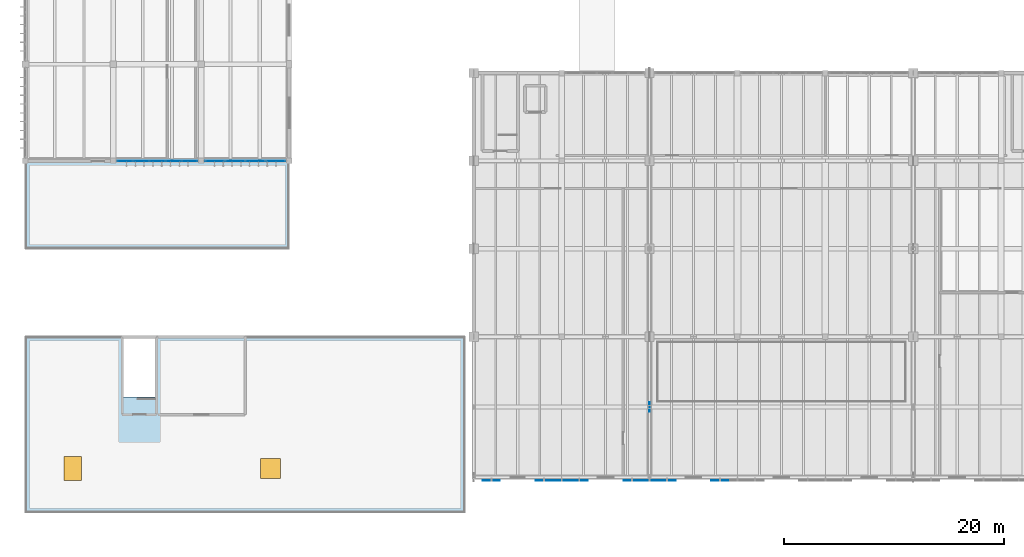
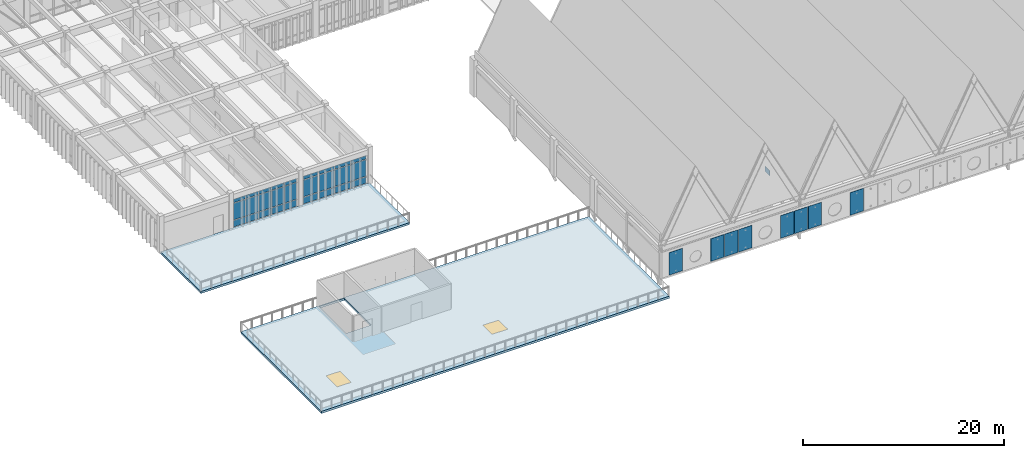
# One storey, part 31 of 72: 36 plates, 2 slabs, 2 windows, 2 openings, 2 elements without a shape of their own.
"""IFC4 building model written with IfcOpenShell, lengths in metres."""

from ifc_helpers import new_model, si_unit, direction, frame, origin, origin_2d, place, context, subcontext, project, spatial, polyline, rectangle, outline, extrude, material, layer, layer_set, type_object, element, fill, aggregate, save


model = new_model("IFC4")

# Units and contexts
model_context = context("Model", 3, precision=1e-05, world=origin(), true_north=direction((0.0, 1.0)))
body_context = subcontext(model_context, "Body", "Model", "MODEL_VIEW")
ifc_project = project(units=[si_unit("LENGTHUNIT", "METRE"), si_unit("AREAUNIT", "SQUARE_METRE"), si_unit("VOLUMEUNIT", "CUBIC_METRE"), si_unit("PLANEANGLEUNIT", "RADIAN"), si_unit("MASSUNIT", "GRAM", prefix="KILO")], contexts=[model_context])

# Site, building, storey
site_placement = place(None, origin())
site = spatial("IfcSite", under=ifc_project, at=site_placement, CompositionType="ELEMENT")
building_placement = place(site_placement, origin())
building = spatial("IfcBuilding", under=site, at=building_placement, Name="Tlaxcora Railside Police Headquarters", CompositionType="ELEMENT")
storey_placement = place(building_placement, frame((0.0, 0.0, 13.5)))
storey = spatial("IfcBuildingStorey", under=building, at=storey_placement, Name="L03", CompositionType="ELEMENT", Elevation=13.5)

# Curtain wall, plates
ifc_material_1 = material(Name="Thermally broken low-E insulated glazing", Category="glass")
curtain_wall_type_1 = type_object("IfcCurtainWallType", Name="Unitised Curtain Wall Assembly CW-15", PredefinedType="NOTDEFINED", material=ifc_material_1)
curtain_wall_1_placement = place(storey_placement, origin())
curtain_wall_1 = element("IfcCurtainWall", 1, at=curtain_wall_1_placement, inside=storey, type_object=curtain_wall_type_1, Name="V5 L03 curtain wall 70", PredefinedType="NOTDEFINED")
ifc_layer_1 = layer(ifc_material_1, 0.031982421875, Name="Thermally broken low-E insulated glazing")
ifc_layer_set_1 = layer_set([ifc_layer_1], Name="Thermally broken low-E insulated glazing")
plate_type_1 = type_object("IfcPlateType", Name="Curtain Wall Infill Panel CW-41", PredefinedType="CURTAIN_PANEL", material=ifc_layer_set_1)
plate_1_placement = place(storey_placement, frame((14.2587890625, 52.0, 0.074951171875), z_axis=(0.0, 0.0, 1.0), x_axis=(1.0, 0.0, 0.0)))
plate_1 = element("IfcPlate", 2, at=plate_1_placement, type_object=plate_type_1, Name="CW panel 1.1", PredefinedType="CURTAIN_PANEL", context=body_context, shape_type="SweptSolid", body=[
    extrude(rectangle(XDim=1.367431640625, YDim=0.031982421875, at=origin_2d()), origin(), (0.0, 0.0, 1.0), 0.78759765625),
])
plate_2_placement = place(storey_placement, frame((14.2587890625, 52.0, 0.9375), z_axis=(0.0, 0.0, 1.0), x_axis=(1.0, 0.0, 0.0)))
plate_2 = element("IfcPlate", 3, at=plate_2_placement, type_object=plate_type_1, Name="CW panel 1.2", PredefinedType="CURTAIN_PANEL", context=body_context, shape_type="SweptSolid", body=[
    extrude(rectangle(XDim=1.367431640625, YDim=0.031982421875, at=origin_2d()), origin(), (0.0, 0.0, 1.0), 2.014892578125),
])
plate_3_placement = place(storey_placement, frame((14.2587890625, 52.0, 3.027587890625), z_axis=(0.0, 0.0, 1.0), x_axis=(1.0, 0.0, 0.0)))
plate_3 = element("IfcPlate", 4, at=plate_3_placement, type_object=plate_type_1, Name="CW panel 1.3", PredefinedType="CURTAIN_PANEL", context=body_context, shape_type="SweptSolid", body=[
    extrude(rectangle(XDim=1.367431640625, YDim=0.031982421875, at=origin_2d()), origin(), (0.0, 0.0, 1.0), 0.41748046875),
])
plate_4_placement = place(storey_placement, frame((15.719970703125, 52.0, 0.074951171875), z_axis=(0.0, 0.0, 1.0), x_axis=(1.0, 0.0, 0.0)))
plate_4 = element("IfcPlate", 5, at=plate_4_placement, type_object=plate_type_1, Name="CW panel 2.1", PredefinedType="CURTAIN_PANEL", context=body_context, shape_type="SweptSolid", body=[
    extrude(rectangle(XDim=1.405029296875, YDim=0.031982421875, at=origin_2d()), origin(), (0.0, 0.0, 1.0), 0.78759765625),
])
plate_5_placement = place(storey_placement, frame((15.719970703125, 52.0, 0.9375), z_axis=(0.0, 0.0, 1.0), x_axis=(1.0, 0.0, 0.0)))
plate_5 = element("IfcPlate", 6, at=plate_5_placement, type_object=plate_type_1, Name="CW panel 2.2", PredefinedType="CURTAIN_PANEL", context=body_context, shape_type="SweptSolid", body=[
    extrude(rectangle(XDim=1.405029296875, YDim=0.031982421875, at=origin_2d()), origin(), (0.0, 0.0, 1.0), 2.014892578125),
])
plate_6_placement = place(storey_placement, frame((15.719970703125, 52.0, 3.027587890625), z_axis=(0.0, 0.0, 1.0), x_axis=(1.0, 0.0, 0.0)))
plate_6 = element("IfcPlate", 7, at=plate_6_placement, type_object=plate_type_1, Name="CW panel 2.3", PredefinedType="CURTAIN_PANEL", context=body_context, shape_type="SweptSolid", body=[
    extrude(rectangle(XDim=1.405029296875, YDim=0.031982421875, at=origin_2d()), origin(), (0.0, 0.0, 1.0), 0.41748046875),
])
plate_7_placement = place(storey_placement, frame((17.199951171875, 52.0, 0.074951171875), z_axis=(0.0, 0.0, 1.0), x_axis=(1.0, 0.0, 0.0)))
plate_7 = element("IfcPlate", 8, at=plate_7_placement, type_object=plate_type_1, Name="CW panel 3.1", PredefinedType="CURTAIN_PANEL", context=body_context, shape_type="SweptSolid", body=[
    extrude(rectangle(XDim=1.405029296875, YDim=0.031982421875, at=origin_2d()), origin(), (0.0, 0.0, 1.0), 0.78759765625),
])
plate_8_placement = place(storey_placement, frame((17.199951171875, 52.0, 0.9375), z_axis=(0.0, 0.0, 1.0), x_axis=(1.0, 0.0, 0.0)))
plate_8 = element("IfcPlate", 9, at=plate_8_placement, type_object=plate_type_1, Name="CW panel 3.2", PredefinedType="CURTAIN_PANEL", context=body_context, shape_type="SweptSolid", body=[
    extrude(rectangle(XDim=1.405029296875, YDim=0.031982421875, at=origin_2d()), origin(), (0.0, 0.0, 1.0), 2.014892578125),
])
plate_9_placement = place(storey_placement, frame((17.199951171875, 52.0, 3.027587890625), z_axis=(0.0, 0.0, 1.0), x_axis=(1.0, 0.0, 0.0)))
plate_9 = element("IfcPlate", 10, at=plate_9_placement, type_object=plate_type_1, Name="CW panel 3.3", PredefinedType="CURTAIN_PANEL", context=body_context, shape_type="SweptSolid", body=[
    extrude(rectangle(XDim=1.405029296875, YDim=0.031982421875, at=origin_2d()), origin(), (0.0, 0.0, 1.0), 0.41748046875),
])
plate_10_placement = place(storey_placement, frame((18.679931640625, 52.0, 0.074951171875), z_axis=(0.0, 0.0, 1.0), x_axis=(1.0, 0.0, 0.0)))
plate_10 = element("IfcPlate", 11, at=plate_10_placement, type_object=plate_type_1, Name="CW panel 4.1", PredefinedType="CURTAIN_PANEL", context=body_context, shape_type="SweptSolid", body=[
    extrude(rectangle(XDim=1.405029296875, YDim=0.031982421875, at=origin_2d()), origin(), (0.0, 0.0, 1.0), 0.78759765625),
])
plate_11_placement = place(storey_placement, frame((18.679931640625, 52.0, 0.9375), z_axis=(0.0, 0.0, 1.0), x_axis=(1.0, 0.0, 0.0)))
plate_11 = element("IfcPlate", 12, at=plate_11_placement, type_object=plate_type_1, Name="CW panel 4.2", PredefinedType="CURTAIN_PANEL", context=body_context, shape_type="SweptSolid", body=[
    extrude(rectangle(XDim=1.405029296875, YDim=0.031982421875, at=origin_2d()), origin(), (0.0, 0.0, 1.0), 2.014892578125),
])
plate_12_placement = place(storey_placement, frame((18.679931640625, 52.0, 3.027587890625), z_axis=(0.0, 0.0, 1.0), x_axis=(1.0, 0.0, 0.0)))
plate_12 = element("IfcPlate", 13, at=plate_12_placement, type_object=plate_type_1, Name="CW panel 4.3", PredefinedType="CURTAIN_PANEL", context=body_context, shape_type="SweptSolid", body=[
    extrude(rectangle(XDim=1.405029296875, YDim=0.031982421875, at=origin_2d()), origin(), (0.0, 0.0, 1.0), 0.41748046875),
])
plate_13_placement = place(storey_placement, frame((20.141357421875, 52.0, 0.074951171875), z_axis=(0.0, 0.0, 1.0), x_axis=(1.0, 0.0, 0.0)))
plate_13 = element("IfcPlate", 14, at=plate_13_placement, type_object=plate_type_1, Name="CW panel 5.1", PredefinedType="CURTAIN_PANEL", context=body_context, shape_type="SweptSolid", body=[
    extrude(rectangle(XDim=1.367431640625, YDim=0.031982421875, at=origin_2d()), origin(), (0.0, 0.0, 1.0), 0.78759765625),
])
plate_14_placement = place(storey_placement, frame((20.141357421875, 52.0, 0.9375), z_axis=(0.0, 0.0, 1.0), x_axis=(1.0, 0.0, 0.0)))
plate_14 = element("IfcPlate", 15, at=plate_14_placement, type_object=plate_type_1, Name="CW panel 5.2", PredefinedType="CURTAIN_PANEL", context=body_context, shape_type="SweptSolid", body=[
    extrude(rectangle(XDim=1.367431640625, YDim=0.031982421875, at=origin_2d()), origin(), (0.0, 0.0, 1.0), 2.014892578125),
])
plate_15_placement = place(storey_placement, frame((20.141357421875, 52.0, 3.027587890625), z_axis=(0.0, 0.0, 1.0), x_axis=(1.0, 0.0, 0.0)))
plate_15 = element("IfcPlate", 16, at=plate_15_placement, type_object=plate_type_1, Name="CW panel 5.3", PredefinedType="CURTAIN_PANEL", context=body_context, shape_type="SweptSolid", body=[
    extrude(rectangle(XDim=1.367431640625, YDim=0.031982421875, at=origin_2d()), origin(), (0.0, 0.0, 1.0), 0.41748046875),
])
aggregate(curtain_wall_1, [plate_1, plate_2, plate_3, plate_4, plate_5, plate_6, plate_7, plate_8, plate_9, plate_10, plate_11, plate_12, plate_13, plate_14, plate_15])

curtain_wall_type_2 = type_object("IfcCurtainWallType", Name="Unitised Curtain Wall Assembly CW-83", PredefinedType="NOTDEFINED", material=ifc_material_1)
curtain_wall_2_placement = place(storey_placement, origin())
curtain_wall_2 = element("IfcCurtainWall", 17, at=curtain_wall_2_placement, inside=storey, type_object=curtain_wall_type_2, Name="V5 L03 curtain wall 71", PredefinedType="NOTDEFINED")
ifc_layer_2 = layer(ifc_material_1, 0.035888671875, Name="Thermally broken low-E insulated glazing")
ifc_layer_set_2 = layer_set([ifc_layer_2], Name="Thermally broken low-E insulated glazing")
plate_type_2 = type_object("IfcPlateType", Name="Curtain Wall Infill Panel CW-72", PredefinedType="CURTAIN_PANEL", material=ifc_layer_set_2)
plate_16_placement = place(storey_placement, frame((22.445068359375, 52.0, 0.080078125), z_axis=(0.0, 0.0, 1.0), x_axis=(1.0, 0.0, 0.0)))
plate_16 = element("IfcPlate", 18, at=plate_16_placement, type_object=plate_type_2, Name="CW panel 1.1", PredefinedType="CURTAIN_PANEL", context=body_context, shape_type="SweptSolid", body=[
    extrude(rectangle(XDim=1.72998046875, YDim=0.035888671875, at=origin_2d()), origin(), (0.0, 0.0, 1.0), 0.780029296875),
])
plate_17_placement = place(storey_placement, frame((22.445068359375, 52.0, 0.93994140625), z_axis=(0.0, 0.0, 1.0), x_axis=(1.0, 0.0, 0.0)))
plate_17 = element("IfcPlate", 19, at=plate_17_placement, type_object=plate_type_2, Name="CW panel 1.2", PredefinedType="CURTAIN_PANEL", context=body_context, shape_type="SweptSolid", body=[
    extrude(rectangle(XDim=1.72998046875, YDim=0.035888671875, at=origin_2d()), origin(), (0.0, 0.0, 1.0), 2.010009765625),
])
plate_18_placement = place(storey_placement, frame((22.445068359375, 52.0, 3.0302734375), z_axis=(0.0, 0.0, 1.0), x_axis=(1.0, 0.0, 0.0)))
plate_18 = element("IfcPlate", 20, at=plate_18_placement, type_object=plate_type_2, Name="CW panel 1.3", PredefinedType="CURTAIN_PANEL", context=body_context, shape_type="SweptSolid", body=[
    extrude(rectangle(XDim=1.72998046875, YDim=0.035888671875, at=origin_2d()), origin(), (0.0, 0.0, 1.0), 0.409912109375),
])
plate_19_placement = place(storey_placement, frame((24.27490234375, 52.0, 0.080078125), z_axis=(0.0, 0.0, 1.0), x_axis=(1.0, 0.0, 0.0)))
plate_19 = element("IfcPlate", 21, at=plate_19_placement, type_object=plate_type_2, Name="CW panel 2.1", PredefinedType="CURTAIN_PANEL", context=body_context, shape_type="SweptSolid", body=[
    extrude(rectangle(XDim=1.77001953125, YDim=0.035888671875, at=origin_2d()), origin(), (0.0, 0.0, 1.0), 0.780029296875),
])
plate_20_placement = place(storey_placement, frame((24.27490234375, 52.0, 0.93994140625), z_axis=(0.0, 0.0, 1.0), x_axis=(1.0, 0.0, 0.0)))
plate_20 = element("IfcPlate", 22, at=plate_20_placement, type_object=plate_type_2, Name="CW panel 2.2", PredefinedType="CURTAIN_PANEL", context=body_context, shape_type="SweptSolid", body=[
    extrude(rectangle(XDim=1.77001953125, YDim=0.035888671875, at=origin_2d()), origin(), (0.0, 0.0, 1.0), 2.010009765625),
])
plate_21_placement = place(storey_placement, frame((24.27490234375, 52.0, 3.0302734375), z_axis=(0.0, 0.0, 1.0), x_axis=(1.0, 0.0, 0.0)))
plate_21 = element("IfcPlate", 23, at=plate_21_placement, type_object=plate_type_2, Name="CW panel 2.3", PredefinedType="CURTAIN_PANEL", context=body_context, shape_type="SweptSolid", body=[
    extrude(rectangle(XDim=1.77001953125, YDim=0.035888671875, at=origin_2d()), origin(), (0.0, 0.0, 1.0), 0.409912109375),
])
plate_22_placement = place(storey_placement, frame((26.125, 52.0, 0.080078125), z_axis=(0.0, 0.0, 1.0), x_axis=(1.0, 0.0, 0.0)))
plate_22 = element("IfcPlate", 24, at=plate_22_placement, type_object=plate_type_2, Name="CW panel 3.1", PredefinedType="CURTAIN_PANEL", context=body_context, shape_type="SweptSolid", body=[
    extrude(rectangle(XDim=1.77001953125, YDim=0.035888671875, at=origin_2d()), origin(), (0.0, 0.0, 1.0), 0.780029296875),
])
plate_23_placement = place(storey_placement, frame((26.125, 52.0, 0.93994140625), z_axis=(0.0, 0.0, 1.0), x_axis=(1.0, 0.0, 0.0)))
plate_23 = element("IfcPlate", 25, at=plate_23_placement, type_object=plate_type_2, Name="CW panel 3.2", PredefinedType="CURTAIN_PANEL", context=body_context, shape_type="SweptSolid", body=[
    extrude(rectangle(XDim=1.77001953125, YDim=0.035888671875, at=origin_2d()), origin(), (0.0, 0.0, 1.0), 2.010009765625),
])
plate_24_placement = place(storey_placement, frame((26.125, 52.0, 3.0302734375), z_axis=(0.0, 0.0, 1.0), x_axis=(1.0, 0.0, 0.0)))
plate_24 = element("IfcPlate", 26, at=plate_24_placement, type_object=plate_type_2, Name="CW panel 3.3", PredefinedType="CURTAIN_PANEL", context=body_context, shape_type="SweptSolid", body=[
    extrude(rectangle(XDim=1.77001953125, YDim=0.035888671875, at=origin_2d()), origin(), (0.0, 0.0, 1.0), 0.409912109375),
])
plate_25_placement = place(storey_placement, frame((27.955078125, 52.0, 0.080078125), z_axis=(0.0, 0.0, 1.0), x_axis=(1.0, 0.0, 0.0)))
plate_25 = element("IfcPlate", 27, at=plate_25_placement, type_object=plate_type_2, Name="CW panel 4.1", PredefinedType="CURTAIN_PANEL", context=body_context, shape_type="SweptSolid", body=[
    extrude(rectangle(XDim=1.72998046875, YDim=0.035888671875, at=origin_2d()), origin(), (0.0, 0.0, 1.0), 0.780029296875),
])
plate_26_placement = place(storey_placement, frame((27.955078125, 52.0, 0.93994140625), z_axis=(0.0, 0.0, 1.0), x_axis=(1.0, 0.0, 0.0)))
plate_26 = element("IfcPlate", 28, at=plate_26_placement, type_object=plate_type_2, Name="CW panel 4.2", PredefinedType="CURTAIN_PANEL", context=body_context, shape_type="SweptSolid", body=[
    extrude(rectangle(XDim=1.72998046875, YDim=0.035888671875, at=origin_2d()), origin(), (0.0, 0.0, 1.0), 2.010009765625),
])
plate_27_placement = place(storey_placement, frame((27.955078125, 52.0, 3.0302734375), z_axis=(0.0, 0.0, 1.0), x_axis=(1.0, 0.0, 0.0)))
plate_27 = element("IfcPlate", 29, at=plate_27_placement, type_object=plate_type_2, Name="CW panel 4.3", PredefinedType="CURTAIN_PANEL", context=body_context, shape_type="SweptSolid", body=[
    extrude(rectangle(XDim=1.72998046875, YDim=0.035888671875, at=origin_2d()), origin(), (0.0, 0.0, 1.0), 0.409912109375),
])
aggregate(curtain_wall_2, [plate_16, plate_17, plate_18, plate_19, plate_20, plate_21, plate_22, plate_23, plate_24, plate_25, plate_26, plate_27])

# Slab, openings, windows
ifc_material_2 = material(Name="Concrete C40/50", Category="concrete")
ifc_layer_3 = layer(ifc_material_2, 0.260009765625, Name="Concrete C40/50")
ifc_layer_set_3 = layer_set([ifc_layer_3], Name="Concrete C40/50")
slab_type_1 = type_object("IfcSlabType", Name="Folded or Flat Roof Slab SL-59", PredefinedType="ROOF", material=ifc_layer_set_3)
slab_1_placement = place(storey_placement, frame((0.0, 0.0, -0.260009765625)))
slab_1 = element("IfcSlab", 30, at=slab_1_placement, inside=storey, type_object=slab_type_1, Name="V4 L03 planted terrace slab", PredefinedType="ROOF", context=body_context, shape_type="SweptSolid", body=[
    extrude(outline(polyline([(45.199951171875, 20.0), (45.199951171875, 36.0), (5.199951171875, 36.0), (5.199951171875, 20.0), (45.199951171875, 20.0)]), holes=[polyline([(17.010009765625, 30.5), (14.110107421875, 30.5), (14.110107421875, 35.889892578125), (17.010009765625, 35.889892578125), (17.010009765625, 30.5)])]), origin(), (0.0, 0.0, 1.0), 0.260009765625),
])
opening_1_placement = place(slab_1_placement, frame((9.5, 24.0, -0.010009765625)))
opening_1 = element("IfcOpeningElement", 31, at=opening_1_placement, cuts=slab_1, Name="Opening WN-75", PredefinedType="OPENING", context=body_context, shape_type="SweptSolid", body=[
    extrude(rectangle(XDim=1.60009765625, YDim=2.199951171875, at=origin_2d()), origin(), (0.0, 0.0, 1.0), 0.280029296875),
])
opening_2_placement = place(slab_1_placement, frame((27.5, 24.0, -0.010009765625)))
opening_2 = element("IfcOpeningElement", 32, at=opening_2_placement, cuts=slab_1, Name="Opening WN-48", PredefinedType="OPENING", context=body_context, shape_type="SweptSolid", body=[
    extrude(rectangle(XDim=1.800048828125, YDim=1.800048828125, at=origin_2d()), origin(), (0.0, 0.0, 1.0), 0.280029296875),
])
window_type_1 = type_object("IfcWindowType", Name="Roof Skylight WN-48", PartitioningType="SINGLE_PANEL", PredefinedType="SKYLIGHT", material=ifc_material_1)
window_1_placement = place(opening_2_placement, frame((0.0, 0.0, 0.219970703125)))
window_1 = element("IfcWindow", 33, at=window_1_placement, inside=storey, type_object=window_type_1, Name="Roof skylight 02", OverallHeight=1.800048828125, OverallWidth=1.800048828125, PartitioningType="SINGLE_PANEL", PredefinedType="SKYLIGHT", context=body_context, shape_type="SweptSolid", body=[
    extrude(rectangle(XDim=1.800048828125, YDim=1.800048828125, at=origin_2d()), origin(), (0.0, 0.0, 1.0), 0.050048828125),
])
fill(opening_2, window_1)
window_type_2 = type_object("IfcWindowType", Name="Roof Skylight WN-75", PartitioningType="SINGLE_PANEL", PredefinedType="SKYLIGHT", material=ifc_material_1)
window_2_placement = place(opening_1_placement, frame((0.0, 0.0, 0.219970703125)))
window_2 = element("IfcWindow", 34, at=window_2_placement, inside=storey, type_object=window_type_2, Name="Roof skylight 01", OverallHeight=2.199951171875, OverallWidth=1.60009765625, PartitioningType="SINGLE_PANEL", PredefinedType="SKYLIGHT", context=body_context, shape_type="SweptSolid", body=[
    extrude(rectangle(XDim=1.60009765625, YDim=2.199951171875, at=origin_2d()), origin(), (0.0, 0.0, 1.0), 0.050048828125),
])
fill(opening_1, window_2)

# Plates
ifc_material_3 = material(Name="Bronze-anodised perforated aluminium sheet", Category="aluminium")
ifc_layer_4 = layer(ifc_material_3, 0.02197265625, Name="Bronze-anodised perforated aluminium sheet")
ifc_layer_set_4 = layer_set([ifc_layer_4], Name="Bronze-anodised perforated aluminium sheet")
plate_type_3 = type_object("IfcPlateType", Name="Perforated Metal Screen Panel SC-25", PredefinedType="SHEET", material=ifc_layer_set_4)
for number, where, z_axis, x_axis, name in (
    (35, (47.60009765625, 22.907470703125, 0.21240234375), (0.0, 0.0, 1.0), (1.0, 0.0, 0.0), "Cosmic perforated bronze screen SCR-V2-L03-0-0"),
    (36, (52.39990234375, 22.907470703125, 0.21240234375), (0.0, 0.0, 1.0), (1.0, 0.0, 0.0), "Cosmic perforated bronze screen SCR-V2-L03-0-3"),
    (37, (54.0, 22.907470703125, 0.21240234375), (0.0, 0.0, 1.0), (1.0, 0.0, 0.0), "Cosmic perforated bronze screen SCR-V2-L03-0-4"),
    (38, (55.60009765625, 22.907470703125, 0.21240234375), (0.0, 0.0, 1.0), (1.0, 0.0, 0.0), "Cosmic perforated bronze screen SCR-V2-L03-0-5"),
    (39, (60.39990234375, 22.907470703125, 0.21240234375), (0.0, 0.0, 1.0), (1.0, 0.0, 0.0), "Cosmic perforated bronze screen SCR-V2-L03-0-8"),
    (40, (62.0, 22.907470703125, 0.21240234375), (0.0, 0.0, 1.0), (1.0, 0.0, 0.0), "Cosmic perforated bronze screen SCR-V2-L03-0-9"),
    (41, (63.60009765625, 22.907470703125, 0.21240234375), (0.0, 0.0, 1.0), (1.0, 0.0, 0.0), "Cosmic perforated bronze screen SCR-V2-L03-0-10"),
    (42, (68.39990234375, 22.907470703125, 0.21240234375), (0.0, 0.0, 1.0), (1.0, 0.0, 0.0), "Cosmic perforated bronze screen SCR-V2-L03-0-13"),
):
    element("IfcPlate", number, at=place(storey_placement, frame(where, z_axis=z_axis, x_axis=x_axis)), inside=storey, type_object=plate_type_3, Name=name, PredefinedType="SHEET", context=body_context, shape_type="SweptSolid", body=[
        extrude(rectangle(XDim=1.5400390625, YDim=0.02197265625, at=origin_2d()), origin(), (0.0, 0.0, 1.0), 2.75),
    ])
ifc_material_4 = material(Name="Steel ASTM A992 Grade 50", Category="steel")
ifc_layer_5 = layer(ifc_material_4, 0.031982421875, Name="Steel ASTM A992 Grade 50")
ifc_layer_set_5 = layer_set([ifc_layer_5], Name="Steel ASTM A992 Grade 50")
plate_type_4 = type_object("IfcPlateType", Name="Structural Gusset or Cap Plate GP-80", PredefinedType="USERDEFINED", material=ifc_layer_set_5)
plate_28_placement = place(storey_placement, frame((62.0, 29.60009765625, 3.195068359375), z_axis=(0.0, 0.0, 1.0), x_axis=(0.0, 1.0, 0.0)))
element("IfcPlate", 43, at=plate_28_placement, inside=storey, type_object=plate_type_4, Name="Truss top-chord gusset plate KNT-2-4", ObjectType="GUSSET PLATE", PredefinedType="USERDEFINED", context=body_context, shape_type="SweptSolid", body=[
    extrude(rectangle(XDim=0.89990234375, YDim=0.031982421875, at=origin_2d()), origin(), (0.0, 0.0, 1.0), 0.64990234375),
])

# Slab
ifc_layer_6 = layer(ifc_material_2, 0.2451171875, Name="Concrete C40/50")
ifc_layer_set_6 = layer_set([ifc_layer_6], Name="Concrete C40/50")
slab_type_2 = type_object("IfcSlabType", Name="Suspended Floor Slab SL-67", PredefinedType="FLOOR", material=ifc_layer_set_6)
slab_2_placement = place(storey_placement, frame((0.0, 0.0, -0.2451171875)))
element("IfcSlab", 44, at=slab_2_placement, inside=storey, type_object=slab_type_2, Name="V5 L03 planted terrace slab", PredefinedType="FLOOR", context=body_context, shape_type="SweptSolid", body=[
    extrude(outline(polyline([(29.199951171875, 44.0), (29.199951171875, 52.0), (5.199951171875, 52.0), (5.199951171875, 44.0), (29.199951171875, 44.0)])), origin(), (0.0, 0.0, 1.0), 0.2451171875),
])

save(model, "model.ifc")
